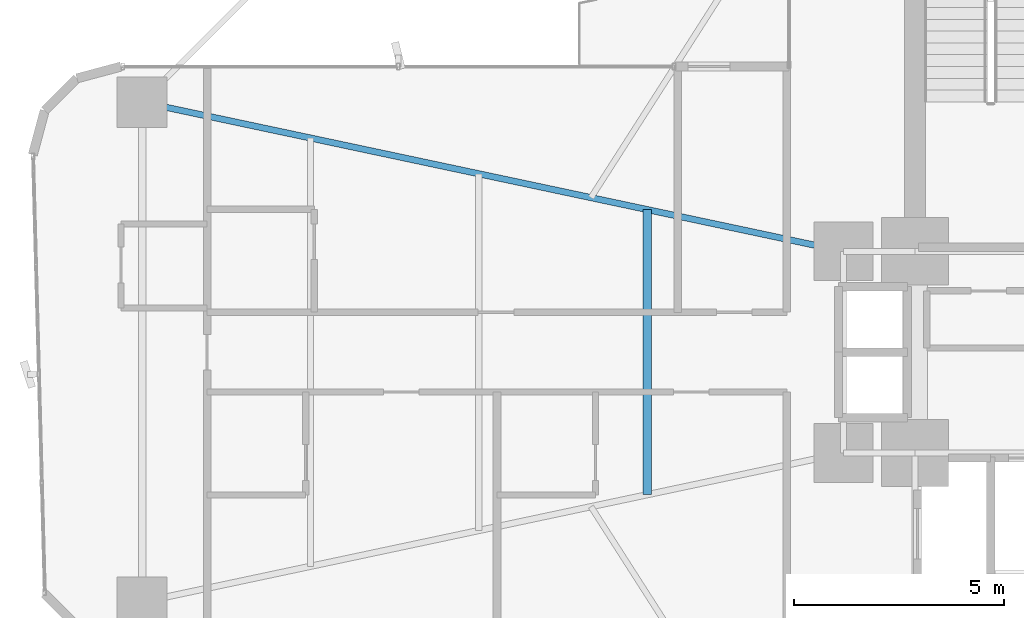
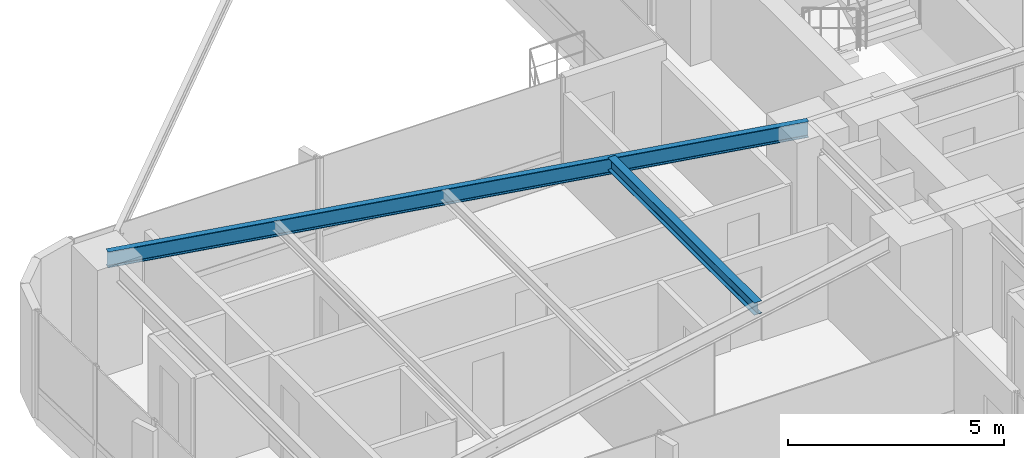
# One storey, part 9 of 26: 2 beams.
"""IFC4 building model written with IfcOpenShell, lengths in metres."""

from ifc_helpers import new_model, si_unit, direction, frame, origin, origin_2d, place, context, subcontext, project, spatial, i_section, extrude, source, transform, mapped, material, material_profile, profile_set, type_object, element, save


model = new_model("IFC4")

# Units and contexts
model_context = context("Model", 3, precision=1e-05, world=origin(), true_north=direction((0.0, 1.0)))
body_context = subcontext(model_context, "Body", "Model", "MODEL_VIEW")
ifc_project = project(units=[si_unit("LENGTHUNIT", "METRE"), si_unit("AREAUNIT", "SQUARE_METRE"), si_unit("VOLUMEUNIT", "CUBIC_METRE"), si_unit("PLANEANGLEUNIT", "RADIAN"), si_unit("MASSUNIT", "GRAM", prefix="KILO")], contexts=[model_context])

# Site, building, storey
site_placement = place(None, origin())
site = spatial("IfcSite", under=ifc_project, at=site_placement, CompositionType="ELEMENT")
building_placement = place(site_placement, origin())
building = spatial("IfcBuilding", under=site, at=building_placement, Name="Sahyath Konkavel Grand Hotel", CompositionType="ELEMENT")
storey_placement = place(building_placement, frame((0.0, 0.0, 43.199951171875)))
storey = spatial("IfcBuildingStorey", under=building, at=storey_placement, Name="L11", CompositionType="ELEMENT", Elevation=43.199951171875)

# Beams
ifc_material = material(Name="Steel E350", Category="steel")
ifc_material_profile_1 = material_profile(ifc_material, i_section(OverallWidth=0.14990234375, OverallDepth=0.449951171875, WebThickness=0.009521484375, FlangeThickness=0.017333984375, FilletRadius=0.014892578125, at=origin_2d()), Name="ISMB 450")
ifc_profile_set_1 = profile_set([ifc_material_profile_1], Name="Steel E350")
beam_type_1 = type_object("IfcBeamType", Name="BM-ISMB450", PredefinedType="BEAM", material=ifc_profile_set_1)
shared_shape_1 = source(origin(), body_context, "Body", "SweptSolid", [
    extrude(i_section(OverallWidth=0.14990234375, OverallDepth=0.449951171875, WebThickness=0.009521484375, FlangeThickness=0.017333984375, FilletRadius=0.014892578125, at=origin_2d()), origin(), (0.0, 0.0, 1.0), 17.072998046875),
])
beam_1_placement = place(storey_placement, frame((-5.5, 2.39990234375, 2.824951171875), z_axis=(-0.978143257225, 0.20793212437, 0.0), x_axis=(-0.20793212437, -0.978143257225, 0.0)))
element("IfcBeam", 1, at=beam_1_placement, inside=storey, type_object=beam_type_1, Name="L11 Cruciform Radial Girder WA", PredefinedType="BEAM", context=body_context, shape_type="MappedRepresentation", body=[
    mapped(shared_shape_1, transform((0.0, 0.0, 0.0), scale=1.0)),
])
ifc_material_profile_2 = material_profile(ifc_material, i_section(OverallWidth=0.199951171875, OverallDepth=0.35009765625, WebThickness=0.008056640625, FlangeThickness=0.011474609375, FilletRadius=0.013916015625, at=origin_2d()), Name="ISWB 350")
ifc_profile_set_2 = profile_set([ifc_material_profile_2], Name="Steel E350")
beam_type_2 = type_object("IfcBeamType", Name="BM-ISWB350", PredefinedType="BEAM", material=ifc_profile_set_2)
shared_shape_2 = source(origin(), body_context, "Body", "SweptSolid", [
    extrude(i_section(OverallWidth=0.199951171875, OverallDepth=0.35009765625, WebThickness=0.008056640625, FlangeThickness=0.011474609375, FilletRadius=0.013916015625, at=origin_2d()), origin(), (0.0, 0.0, 1.0), 6.7880859375),
])
beam_2_placement = place(storey_placement, frame((-10.176025390625, 3.39404296875, 2.875), z_axis=(0.0, -1.0, 0.0), x_axis=(1.0, 0.0, 0.0)))
element("IfcBeam", 2, at=beam_2_placement, inside=storey, type_object=beam_type_2, Name="L11 Secondary Floor Beam W-1", PredefinedType="BEAM", context=body_context, shape_type="MappedRepresentation", body=[
    mapped(shared_shape_2, transform((0.0, 0.0, 0.0), scale=1.0)),
])

save(model, "model.ifc")
